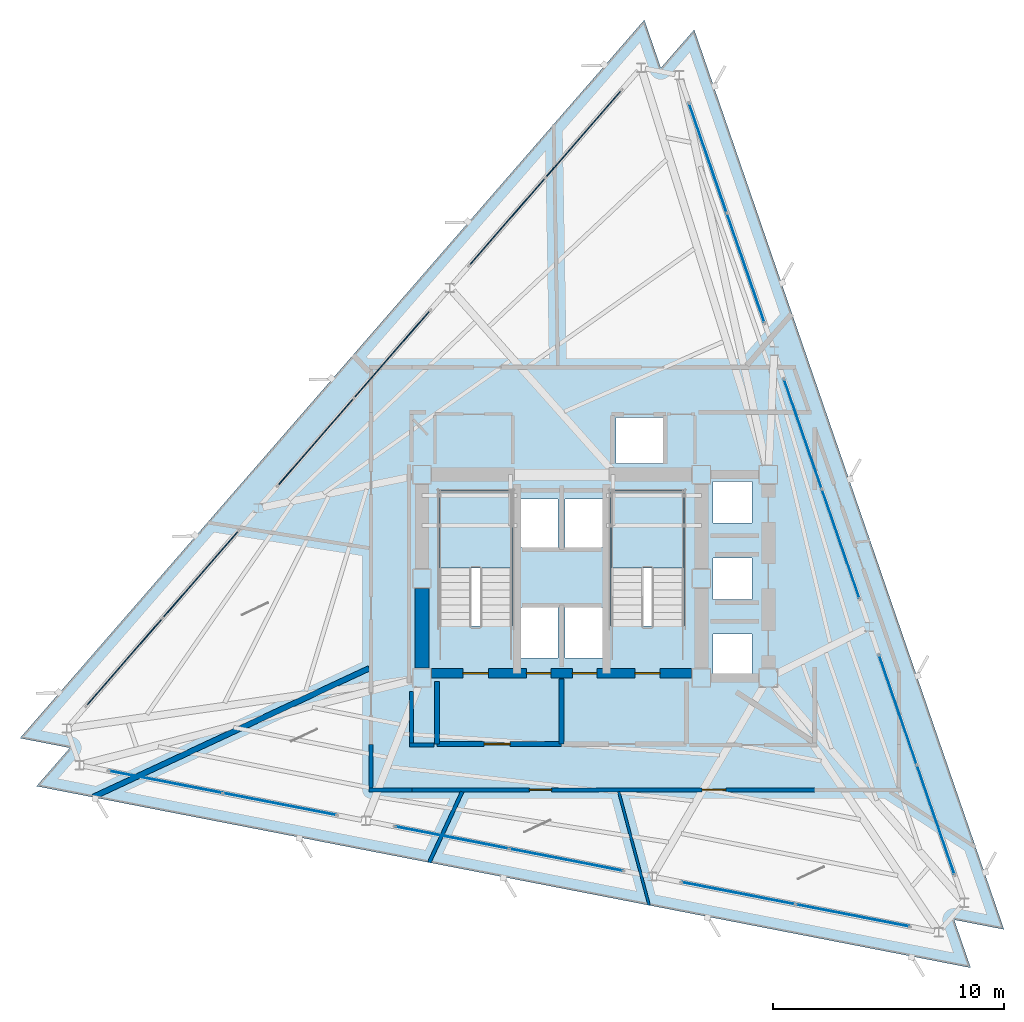
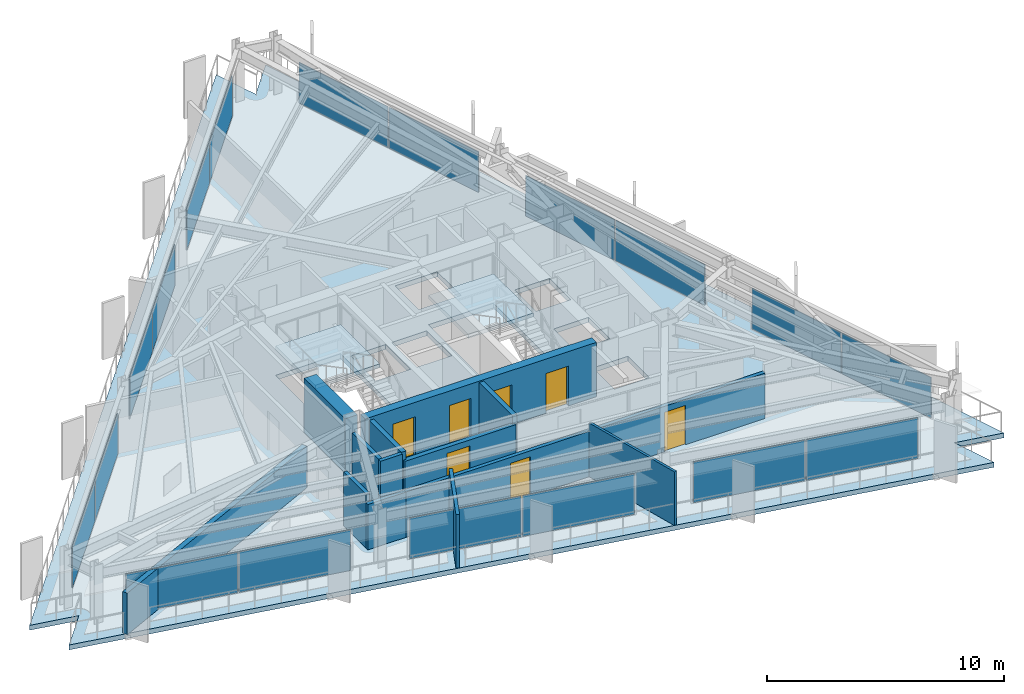
# One storey, part 8 of 13: 18 plates, 13 walls, 7 doors, 3 slabs, 7 openings, 11 elements without a shape of their own.
"""IFC4 building model written with IfcOpenShell, lengths in metres."""

from ifc_helpers import new_model, si_unit, direction, frame, frame_2d, origin, origin_2d, place, context, subcontext, project, spatial, polyline, rectangle, outline, extrude, material, layer, layer_set, type_object, element, fill, aggregate, save


model = new_model("IFC4")

# Units and contexts
model_context = context("Model", 3, precision=1e-05, world=origin(), true_north=direction((0.0, 1.0)))
body_context = subcontext(model_context, "Body", "Model", "MODEL_VIEW")
ifc_project = project(units=[si_unit("LENGTHUNIT", "METRE"), si_unit("AREAUNIT", "SQUARE_METRE"), si_unit("VOLUMEUNIT", "CUBIC_METRE"), si_unit("PLANEANGLEUNIT", "RADIAN"), si_unit("MASSUNIT", "GRAM", prefix="KILO")], contexts=[model_context])

# Site, building, storey
site_placement = place(None, origin())
site = spatial("IfcSite", under=ifc_project, at=site_placement, CompositionType="ELEMENT")
building_placement = place(site_placement, origin())
building = spatial("IfcBuilding", under=site, at=building_placement, Name="Rocaltana Carrier Exchange", CompositionType="ELEMENT")
storey_placement = place(building_placement, frame((0.0, 0.0, 156.320068359375)))
storey = spatial("IfcBuildingStorey", under=building, at=storey_placement, Name="L49", CompositionType="ELEMENT", Elevation=156.320068359375)

# Curtain wall, plates
ifc_material_1 = material(Name="Aluminium 6063-T6", Category="aluminium")
ifc_layer_1 = layer(ifc_material_1, 0.135009765625)
ifc_layer_set_1 = layer_set([ifc_layer_1], Name="Aluminium 6063-T6")
curtain_wall_type = type_object("IfcCurtainWallType", Name="Upper-Mid Acoustic Curtain Wall CW-04", PredefinedType="NOTDEFINED", material=ifc_layer_set_1)
curtain_wall_1_placement = place(storey_placement, origin())
curtain_wall_1 = element("IfcCurtainWall", 1, at=curtain_wall_1_placement, inside=storey, type_object=curtain_wall_type, Name="L49 CW-04 Run CW-L49-F1S1", PredefinedType="NOTDEFINED")
ifc_material_2 = material(Name="Tempered Laminated Glass", Category="glass")
ifc_layer_2 = layer(ifc_material_2, 0.0380859375)
ifc_layer_set_2 = layer_set([ifc_layer_2], Name="Tempered Laminated Glass")
plate_type = type_object("IfcPlateType", Name="CW-04 Stone-Insulated Vision Panel", PredefinedType="CURTAIN_PANEL", material=ifc_layer_set_2)
plate_1_placement = place(storey_placement, frame((16.197021484375, -10.4462890625, 0.06494140625), z_axis=(0.0, 0.0, 1.0), x_axis=(-0.325558788464, 0.945521800517, 0.0)))
plate_1 = element("IfcPlate", 2, at=plate_1_placement, type_object=plate_type, Name="CW-04 panel 1.1", PredefinedType="CURTAIN_PANEL", context=body_context, shape_type="SweptSolid", body=[
    extrude(rectangle(XDim=4.96923828125, YDim=0.0380859375, at=origin_2d()), origin(), (0.0, 0.0, 1.0), 2.087890625),
])
plate_2_placement = place(storey_placement, frame((14.55810546875, -5.686279296875, 0.06494140625), z_axis=(0.0, 0.0, 1.0), x_axis=(-0.325558788464, 0.945521800517, 0.0)))
plate_2 = element("IfcPlate", 3, at=plate_2_placement, type_object=plate_type, Name="CW-04 panel 2.1", PredefinedType="CURTAIN_PANEL", context=body_context, shape_type="SweptSolid", body=[
    extrude(rectangle(XDim=4.96923828125, YDim=0.0380859375, at=origin_2d()), origin(), (0.0, 0.0, 1.0), 2.087890625),
])
aggregate(curtain_wall_1, [plate_1, plate_2])

curtain_wall_2_placement = place(storey_placement, origin())
curtain_wall_2 = element("IfcCurtainWall", 4, at=curtain_wall_2_placement, inside=storey, type_object=curtain_wall_type, Name="L49 CW-04 Run CW-L49-F1S2", PredefinedType="NOTDEFINED")
plate_3_placement = place(storey_placement, frame((12.083984375, 1.498779296875, 0.06494140625), z_axis=(0.0, 0.0, 1.0), x_axis=(-0.32556182622, 0.945520754562, 0.0)))
plate_3 = element("IfcPlate", 5, at=plate_3_placement, type_object=plate_type, Name="CW-04 panel 1.1", PredefinedType="CURTAIN_PANEL", context=body_context, shape_type="SweptSolid", body=[
    extrude(rectangle(XDim=4.96923828125, YDim=0.0380859375, at=origin_2d()), origin(), (0.0, 0.0, 1.0), 2.087890625),
])
plate_4_placement = place(storey_placement, frame((10.445068359375, 6.258544921875, 0.06494140625), z_axis=(0.0, 0.0, 1.0), x_axis=(-0.32556182622, 0.945520754562, 0.0)))
plate_4 = element("IfcPlate", 6, at=plate_4_placement, type_object=plate_type, Name="CW-04 panel 2.1", PredefinedType="CURTAIN_PANEL", context=body_context, shape_type="SweptSolid", body=[
    extrude(rectangle(XDim=4.96923828125, YDim=0.0380859375, at=origin_2d()), origin(), (0.0, 0.0, 1.0), 2.087890625),
])
aggregate(curtain_wall_2, [plate_3, plate_4])

curtain_wall_3_placement = place(storey_placement, origin())
curtain_wall_3 = element("IfcCurtainWall", 7, at=curtain_wall_3_placement, inside=storey, type_object=curtain_wall_type, Name="L49 CW-04 Run CW-L49-F1S3", PredefinedType="NOTDEFINED")
plate_5_placement = place(storey_placement, frame((7.970947265625, 13.44384765625, 0.06494140625), z_axis=(0.0, 0.0, 1.0), x_axis=(-0.325558788464, 0.945521800517, 0.0)))
plate_5 = element("IfcPlate", 8, at=plate_5_placement, type_object=plate_type, Name="CW-04 panel 1.1", PredefinedType="CURTAIN_PANEL", context=body_context, shape_type="SweptSolid", body=[
    extrude(rectangle(XDim=4.96923828125, YDim=0.0380859375, at=origin_2d()), origin(), (0.0, 0.0, 1.0), 2.087890625),
])
plate_6_placement = place(storey_placement, frame((6.33203125, 18.20361328125, 0.06494140625), z_axis=(0.0, 0.0, 1.0), x_axis=(-0.325558788464, 0.945521800517, 0.0)))
plate_6 = element("IfcPlate", 9, at=plate_6_placement, type_object=plate_type, Name="CW-04 panel 2.1", PredefinedType="CURTAIN_PANEL", context=body_context, shape_type="SweptSolid", body=[
    extrude(rectangle(XDim=4.96923828125, YDim=0.0380859375, at=origin_2d()), origin(), (0.0, 0.0, 1.0), 2.087890625),
])
aggregate(curtain_wall_3, [plate_5, plate_6])

curtain_wall_4_placement = place(storey_placement, origin())
curtain_wall_4 = element("IfcCurtainWall", 10, at=curtain_wall_4_placement, inside=storey, type_object=curtain_wall_type, Name="L49 CW-04 Run CW-L49-F2S1", PredefinedType="NOTDEFINED")
plate_7_placement = place(storey_placement, frame((0.9482421875, 19.250244140625, 0.06494140625), z_axis=(0.0, 0.0, 1.0), x_axis=(-0.656056545375, -0.75471173919, 0.0)))
plate_7 = element("IfcPlate", 11, at=plate_7_placement, type_object=plate_type, Name="CW-04 panel 1.1", PredefinedType="CURTAIN_PANEL", context=body_context, shape_type="SweptSolid", body=[
    extrude(rectangle(XDim=4.96923828125, YDim=0.0380859375, at=origin_2d()), origin(), (0.0, 0.0, 1.0), 2.087890625),
])
plate_8_placement = place(storey_placement, frame((-2.3544921875, 15.450927734375, 0.06494140625), z_axis=(0.0, 0.0, 1.0), x_axis=(-0.656056545375, -0.75471173919, 0.0)))
plate_8 = element("IfcPlate", 12, at=plate_8_placement, type_object=plate_type, Name="CW-04 panel 2.1", PredefinedType="CURTAIN_PANEL", context=body_context, shape_type="SweptSolid", body=[
    extrude(rectangle(XDim=4.96923828125, YDim=0.0380859375, at=origin_2d()), origin(), (0.0, 0.0, 1.0), 2.087890625),
])
aggregate(curtain_wall_4, [plate_7, plate_8])

curtain_wall_5_placement = place(storey_placement, origin())
curtain_wall_5 = element("IfcCurtainWall", 13, at=curtain_wall_5_placement, inside=storey, type_object=curtain_wall_type, Name="L49 CW-04 Run CW-L49-F2S2", PredefinedType="NOTDEFINED")
plate_9_placement = place(storey_placement, frame((-7.33984375, 9.7158203125, 0.06494140625), z_axis=(0.0, 0.0, 1.0), x_axis=(-0.656056545375, -0.75471173919, 0.0)))
plate_9 = element("IfcPlate", 14, at=plate_9_placement, type_object=plate_type, Name="CW-04 panel 1.1", PredefinedType="CURTAIN_PANEL", context=body_context, shape_type="SweptSolid", body=[
    extrude(rectangle(XDim=4.96923828125, YDim=0.0380859375, at=origin_2d()), origin(), (0.0, 0.0, 1.0), 2.087890625),
])
plate_10_placement = place(storey_placement, frame((-10.642578125, 5.91650390625, 0.06494140625), z_axis=(0.0, 0.0, 1.0), x_axis=(-0.656056545375, -0.75471173919, 0.0)))
plate_10 = element("IfcPlate", 15, at=plate_10_placement, type_object=plate_type, Name="CW-04 panel 2.1", PredefinedType="CURTAIN_PANEL", context=body_context, shape_type="SweptSolid", body=[
    extrude(rectangle(XDim=4.96923828125, YDim=0.0380859375, at=origin_2d()), origin(), (0.0, 0.0, 1.0), 2.087890625),
])
aggregate(curtain_wall_5, [plate_9, plate_10])

curtain_wall_6_placement = place(storey_placement, origin())
curtain_wall_6 = element("IfcCurtainWall", 16, at=curtain_wall_6_placement, inside=storey, type_object=curtain_wall_type, Name="L49 CW-04 Run CW-L49-F2S3", PredefinedType="NOTDEFINED")
plate_11_placement = place(storey_placement, frame((-15.628173828125, 0.18115234375, 0.06494140625), z_axis=(0.0, 0.0, 1.0), x_axis=(-0.656056545375, -0.75471173919, 0.0)))
plate_11 = element("IfcPlate", 17, at=plate_11_placement, type_object=plate_type, Name="CW-04 panel 1.1", PredefinedType="CURTAIN_PANEL", context=body_context, shape_type="SweptSolid", body=[
    extrude(rectangle(XDim=4.96923828125, YDim=0.0380859375, at=origin_2d()), origin(), (0.0, 0.0, 1.0), 2.087890625),
])
plate_12_placement = place(storey_placement, frame((-18.930908203125, -3.6181640625, 0.06494140625), z_axis=(0.0, 0.0, 1.0), x_axis=(-0.656056545375, -0.75471173919, 0.0)))
plate_12 = element("IfcPlate", 18, at=plate_12_placement, type_object=plate_type, Name="CW-04 panel 2.1", PredefinedType="CURTAIN_PANEL", context=body_context, shape_type="SweptSolid", body=[
    extrude(rectangle(XDim=4.96923828125, YDim=0.0380859375, at=origin_2d()), origin(), (0.0, 0.0, 1.0), 2.087890625),
])
aggregate(curtain_wall_6, [plate_11, plate_12])

curtain_wall_7_placement = place(storey_placement, origin())
curtain_wall_7 = element("IfcCurtainWall", 19, at=curtain_wall_7_placement, inside=storey, type_object=curtain_wall_type, Name="L49 CW-04 Run CW-L49-F3S1", PredefinedType="NOTDEFINED")
plate_13_placement = place(storey_placement, frame((-17.145263671875, -8.803955078125, 0.06494140625), z_axis=(0.0, 0.0, 1.0), x_axis=(0.981628278569, -0.190803361378, 0.0)))
plate_13 = element("IfcPlate", 20, at=plate_13_placement, type_object=plate_type, Name="CW-04 panel 1.1", PredefinedType="CURTAIN_PANEL", context=body_context, shape_type="SweptSolid", body=[
    extrude(rectangle(XDim=4.96923828125, YDim=0.0380859375, at=origin_2d()), origin(), (0.0, 0.0, 1.0), 2.087890625),
])
plate_14_placement = place(storey_placement, frame((-12.20361328125, -9.764404296875, 0.06494140625), z_axis=(0.0, 0.0, 1.0), x_axis=(0.981628278569, -0.190803361378, 0.0)))
plate_14 = element("IfcPlate", 21, at=plate_14_placement, type_object=plate_type, Name="CW-04 panel 2.1", PredefinedType="CURTAIN_PANEL", context=body_context, shape_type="SweptSolid", body=[
    extrude(rectangle(XDim=4.96923828125, YDim=0.0380859375, at=origin_2d()), origin(), (0.0, 0.0, 1.0), 2.087890625),
])
aggregate(curtain_wall_7, [plate_13, plate_14])

curtain_wall_8_placement = place(storey_placement, origin())
curtain_wall_8 = element("IfcCurtainWall", 22, at=curtain_wall_8_placement, inside=storey, type_object=curtain_wall_type, Name="L49 CW-04 Run CW-L49-F3S2", PredefinedType="NOTDEFINED")
plate_15_placement = place(storey_placement, frame((-4.744140625, -11.21435546875, 0.06494140625), z_axis=(0.0, 0.0, 1.0), x_axis=(0.981626070913, -0.190814718784, 0.0)))
plate_15 = element("IfcPlate", 23, at=plate_15_placement, type_object=plate_type, Name="CW-04 panel 1.1", PredefinedType="CURTAIN_PANEL", context=body_context, shape_type="SweptSolid", body=[
    extrude(rectangle(XDim=4.96923828125, YDim=0.0380859375, at=origin_2d()), origin(), (0.0, 0.0, 1.0), 2.087890625),
])
plate_16_placement = place(storey_placement, frame((0.19775390625, -12.175048828125, 0.06494140625), z_axis=(0.0, 0.0, 1.0), x_axis=(0.981626070913, -0.190814718784, 0.0)))
plate_16 = element("IfcPlate", 24, at=plate_16_placement, type_object=plate_type, Name="CW-04 panel 2.1", PredefinedType="CURTAIN_PANEL", context=body_context, shape_type="SweptSolid", body=[
    extrude(rectangle(XDim=4.96923828125, YDim=0.0380859375, at=origin_2d()), origin(), (0.0, 0.0, 1.0), 2.087890625),
])
aggregate(curtain_wall_8, [plate_15, plate_16])

curtain_wall_9_placement = place(storey_placement, origin())
curtain_wall_9 = element("IfcCurtainWall", 25, at=curtain_wall_9_placement, inside=storey, type_object=curtain_wall_type, Name="L49 CW-04 Run CW-L49-F3S3", PredefinedType="NOTDEFINED")
plate_17_placement = place(storey_placement, frame((7.6572265625, -13.625, 0.06494140625), z_axis=(0.0, 0.0, 1.0), x_axis=(0.981627919301, -0.190805209699, 0.0)))
plate_17 = element("IfcPlate", 26, at=plate_17_placement, type_object=plate_type, Name="CW-04 panel 1.1", PredefinedType="CURTAIN_PANEL", context=body_context, shape_type="SweptSolid", body=[
    extrude(rectangle(XDim=4.96923828125, YDim=0.0380859375, at=origin_2d()), origin(), (0.0, 0.0, 1.0), 2.087890625),
])
plate_18_placement = place(storey_placement, frame((12.598876953125, -14.58544921875, 0.06494140625), z_axis=(0.0, 0.0, 1.0), x_axis=(0.981627919301, -0.190805209699, 0.0)))
plate_18 = element("IfcPlate", 27, at=plate_18_placement, type_object=plate_type, Name="CW-04 panel 2.1", PredefinedType="CURTAIN_PANEL", context=body_context, shape_type="SweptSolid", body=[
    extrude(rectangle(XDim=4.96923828125, YDim=0.0380859375, at=origin_2d()), origin(), (0.0, 0.0, 1.0), 2.087890625),
])
aggregate(curtain_wall_9, [plate_17, plate_18])

# Slab
ifc_material_3 = material(Name="Concrete C50/60", Category="concrete")
ifc_layer_3 = layer(ifc_material_3, 0.25)
ifc_layer_set_3 = layer_set([ifc_layer_3], Name="Concrete C50/60")
slab_type_1 = type_object("IfcSlabType", Name="Mid-Zone Tower Slab 250", PredefinedType="FLOOR", material=ifc_layer_set_3)
slab_1_placement = place(storey_placement, frame((0.0, 0.0, -0.25)))
element("IfcSlab", 28, at=slab_1_placement, inside=storey, type_object=slab_type_1, Name="L49 Structural Floor Slab", PredefinedType="FLOOR", context=body_context, shape_type="SweptSolid", body=[
    extrude(outline(polyline([(17.709716796875, -16.852294921875), (16.993408203125, -14.772216796875), (19.153076171875, -15.19189453125), (5.73974609375, 23.76318359375), (4.29638671875, 22.10302734375), (3.580078125, 24.18310546875), (-23.449462890625, -6.910888671875), (-21.289794921875, -7.330810546875), (-22.7333984375, -8.9912109375), (17.709716796875, -16.852294921875)]), holes=[polyline([(-5.300048828125, -2.06005859375), (-2.139892578125, -2.06005859375), (-2.139892578125, 3.800048828125), (-5.300048828125, 3.800048828125), (-5.300048828125, -2.06005859375)]), polyline([(2.139892578125, -2.06005859375), (5.300048828125, -2.06005859375), (5.300048828125, 3.800048828125), (2.139892578125, 3.800048828125), (2.139892578125, -2.06005859375)]), polyline([(-1.85009765625, -3.449951171875), (-0.14990234375, -3.449951171875), (-0.14990234375, -1.25), (-1.85009765625, -1.25), (-1.85009765625, -3.449951171875)]), polyline([(0.14990234375, -3.449951171875), (1.85009765625, -3.449951171875), (1.85009765625, -1.25), (0.14990234375, -1.25), (0.14990234375, -3.449951171875)]), polyline([(2.35009765625, 4.97998046875), (4.39990234375, 4.97998046875), (4.39990234375, 6.97998046875), (2.35009765625, 6.97998046875), (2.35009765625, 4.97998046875)]), polyline([(-1.85009765625, 1.35009765625), (-0.14990234375, 1.35009765625), (-0.14990234375, 3.449951171875), (-1.85009765625, 3.449951171875), (-1.85009765625, 1.35009765625)]), polyline([(0.14990234375, 1.35009765625), (1.85009765625, 1.35009765625), (1.85009765625, 3.449951171875), (0.14990234375, 3.449951171875), (0.14990234375, 1.35009765625)]), polyline([(6.550048828125, -4.199951171875), (8.25, -4.199951171875), (8.25, -2.39990234375), (6.550048828125, -2.39990234375), (6.550048828125, -4.199951171875)]), polyline([(6.550048828125, -0.89990234375), (8.25, -0.89990234375), (8.25, 0.89990234375), (6.550048828125, 0.89990234375), (6.550048828125, -0.89990234375)]), polyline([(6.550048828125, 2.39990234375), (8.25, 2.39990234375), (8.25, 4.199951171875), (6.550048828125, 4.199951171875), (6.550048828125, 2.39990234375)])]), origin(), (0.0, 0.0, 1.0), 0.25),
])

# Stair, slab
ifc_material_4 = material(Name="Precast concrete C45/55", Category="concrete")
stair_type = type_object("IfcStairType", Name="Standard Dog-Leg Stair 160", PredefinedType="HALF_TURN_STAIR", material=ifc_material_4)
stair_1_placement = place(storey_placement, origin())
stair_1 = element("IfcStair", 29, at=stair_1_placement, inside=storey, type_object=stair_type, Name="L49 Core West Exit Stair ST-1", PredefinedType="HALF_TURN_STAIR")
ifc_material_5 = material(Name="Precast concrete C45/55", Category="concrete")
ifc_layer_4 = layer(ifc_material_5, 0.199951171875)
ifc_layer_set_4 = layer_set([ifc_layer_4], Name="Precast concrete C45/55")
slab_type_2 = type_object("IfcSlabType", Name="Precast Stair Half-Landing 200", PredefinedType="LANDING", material=ifc_layer_set_4)
slab_2_placement = place(storey_placement, frame((0.0, 0.0, 1.31982421875)))
slab_2 = element("IfcSlab", 30, at=slab_2_placement, type_object=slab_type_2, Name="ST-1 landing 1", PredefinedType="LANDING", context=body_context, shape_type="SweptSolid", body=[
    extrude(outline(polyline([(-2.139892578125, 0.4599609375), (-2.139892578125, 3.800048828125), (-5.300048828125, 3.800048828125), (-5.300048828125, 0.4599609375), (-2.139892578125, 0.4599609375)])), origin(), (0.0, 0.0, 1.0), 0.2001953125),
])
aggregate(stair_1, [slab_2])

stair_2_placement = place(storey_placement, origin())
stair_2 = element("IfcStair", 31, at=stair_2_placement, inside=storey, type_object=stair_type, Name="L49 Core East Exit Stair ST-2", PredefinedType="HALF_TURN_STAIR")
slab_3_placement = place(storey_placement, frame((0.0, 0.0, 1.31982421875)))
slab_3 = element("IfcSlab", 32, at=slab_3_placement, type_object=slab_type_2, Name="ST-2 landing 1", PredefinedType="LANDING", context=body_context, shape_type="SweptSolid", body=[
    extrude(outline(polyline([(5.300048828125, 0.4599609375), (5.300048828125, 3.800048828125), (2.139892578125, 3.800048828125), (2.139892578125, 0.4599609375), (5.300048828125, 0.4599609375)])), origin(), (0.0, 0.0, 1.0), 0.2001953125),
])
aggregate(stair_2, [slab_3])

# Wall
ifc_material_6 = material(Name="Double Acoustic Gypsum Partition", Category="gypsum")
ifc_layer_5 = layer(ifc_material_6, 0.159912109375)
ifc_layer_set_5 = layer_set([ifc_layer_5], Name="Double Acoustic Gypsum Partition")
wall_type_1 = type_object("IfcWallType", Name="Acoustic Studio Partition 160 EI60", PredefinedType="PARTITIONING", material=ifc_layer_set_5)
wall_1_placement = place(storey_placement, frame((-4.303955078125, -9.22998046875, 0.0), z_axis=(0.0, 0.0, 1.0), x_axis=(-0.422604032696, -0.906314422013, 0.0)))
element("IfcWall", 33, at=wall_1_placement, inside=storey, type_object=wall_type_1, Name="L49 Suite Divider Wall D2", PredefinedType="PARTITIONING", context=body_context, shape_type="SweptSolid", body=[
    extrude(rectangle(XDim=3.3720703125, YDim=0.159912109375, at=frame_2d((1.68603515625, 0.0))), origin(), (0.0, 0.0, 1.0), 2.762939453125),
])

# Wall, openings, doors
ifc_material_7 = material(Name="Concrete C50/60", Category="concrete")
ifc_layer_6 = layer(ifc_material_7, 0.39990234375)
ifc_layer_set_6 = layer_set([ifc_layer_6], Name="Concrete C50/60")
wall_type_2 = type_object("IfcWallType", Name="Core Internal Shear Wall 400", PredefinedType="SHEAR", material=ifc_layer_set_6)
wall_2_placement = place(storey_placement, frame((-5.625, -4.10009765625, 0.0), z_axis=(0.0, 0.0, 1.0), x_axis=(1.0, 0.0, 0.0)))
wall_2 = element("IfcWall", 34, at=wall_2_placement, inside=storey, type_object=wall_type_2, Name="L49 Core Shear Wall CW-S", PredefinedType="SHEAR", context=body_context, shape_type="SweptSolid", body=[
    extrude(rectangle(XDim=11.25, YDim=0.39990234375, at=frame_2d((5.625, 0.0))), origin(), (0.0, 0.0, 1.0), 2.787841796875),
])
opening_1_placement = place(wall_2_placement, frame((1.35498046875, 0.0, 0.0)))
opening_1 = element("IfcOpeningElement", 35, at=opening_1_placement, cuts=wall_2, Name="Opening D-ST110", PredefinedType="OPENING", context=body_context, shape_type="SweptSolid", body=[
    extrude(rectangle(XDim=1.10009765625, YDim=2.0400390625, at=frame_2d((0.550048828125, 1.02001953125))), frame((0.0, 0.2099609375, 0.0), z_axis=(0.0, -1.0, 0.0), x_axis=(1.0, 0.0, 0.0)), (0.0, 0.0, 1.0), 0.419921875),
])
opening_2_placement = place(wall_2_placement, frame((8.794921875, 0.0, 0.0)))
opening_2 = element("IfcOpeningElement", 36, at=opening_2_placement, cuts=wall_2, Name="Opening D-ST110", PredefinedType="OPENING", context=body_context, shape_type="SweptSolid", body=[
    extrude(rectangle(XDim=1.10009765625, YDim=2.0400390625, at=frame_2d((0.550048828125, 1.02001953125))), frame((0.0, 0.2099609375, 0.0), z_axis=(0.0, -1.0, 0.0), x_axis=(1.0, 0.0, 0.0)), (0.0, 0.0, 1.0), 0.419921875),
])
opening_3_placement = place(wall_2_placement, frame((4.094970703125, 0.0, 0.0)))
opening_3 = element("IfcOpeningElement", 37, at=opening_3_placement, cuts=wall_2, Name="Opening LD-110", PredefinedType="OPENING", context=body_context, shape_type="SweptSolid", body=[
    extrude(rectangle(XDim=1.06005859375, YDim=2.0400390625, at=frame_2d((0.530029296875, 1.02001953125))), frame((0.0, 0.2099609375, 0.0), z_axis=(0.0, -1.0, 0.0), x_axis=(1.0, 0.0, 0.0)), (0.0, 0.0, 1.0), 0.419921875),
])
opening_4_placement = place(wall_2_placement, frame((6.094970703125, 0.0, 0.0)))
opening_4 = element("IfcOpeningElement", 38, at=opening_4_placement, cuts=wall_2, Name="Opening LD-110", PredefinedType="OPENING", context=body_context, shape_type="SweptSolid", body=[
    extrude(rectangle(XDim=1.06005859375, YDim=2.0400390625, at=frame_2d((0.530029296875, 1.02001953125))), frame((0.0, 0.2099609375, 0.0), z_axis=(0.0, -1.0, 0.0), x_axis=(1.0, 0.0, 0.0)), (0.0, 0.0, 1.0), 0.419921875),
])
ifc_material_8 = material(Name="Hollow Metal Fire Door Assembly", Category="steel")
door_type_1 = type_object("IfcDoorType", Name="Exit Stair Fire Door 1100x2040 FD90S", OperationType="NOTDEFINED", PredefinedType="DOOR", material=ifc_material_8)
door_1_placement = place(opening_1_placement, origin())
door_1 = element("IfcDoor", 39, at=door_1_placement, inside=storey, type_object=door_type_1, Name="L49 Exit Stair ST1 Fire Door", OperationType="SINGLE_SWING_RIGHT", OverallHeight=2.0400390625, OverallWidth=1.10009765625, PredefinedType="DOOR", context=body_context, shape_type="SweptSolid", body=[
    extrude(rectangle(XDim=1.10009765625, YDim=2.0400390625, at=frame_2d((0.550048828125, 1.02001953125))), frame((0.0, 0.02490234375, 0.0), z_axis=(0.0, -1.0, 0.0), x_axis=(1.0, 0.0, 0.0)), (0.0, 0.0, 1.0), 0.050048828125),
])
fill(opening_1, door_1)
door_2_placement = place(opening_2_placement, origin())
door_2 = element("IfcDoor", 40, at=door_2_placement, inside=storey, type_object=door_type_1, Name="L49 Exit Stair ST2 Fire Door", OperationType="SINGLE_SWING_LEFT", OverallHeight=2.0400390625, OverallWidth=1.10009765625, PredefinedType="DOOR", context=body_context, shape_type="SweptSolid", body=[
    extrude(rectangle(XDim=1.10009765625, YDim=2.0400390625, at=frame_2d((0.550048828125, 1.02001953125))), frame((0.0, 0.02490234375, 0.0), z_axis=(0.0, -1.0, 0.0), x_axis=(1.0, 0.0, 0.0)), (0.0, 0.0, 1.0), 0.050048828125),
])
fill(opening_2, door_2)
ifc_material_9 = material(Name="Brushed Stainless Sliding Door Leaf", Category="steel")
door_type_2 = type_object("IfcDoorType", Name="Lift Landing Sliding Door 1060x2040", OperationType="NOTDEFINED", PredefinedType="DOOR", material=ifc_material_9)
door_3_placement = place(opening_3_placement, origin())
door_3 = element("IfcDoor", 41, at=door_3_placement, inside=storey, type_object=door_type_2, Name="L49 Firefighting Lift FFL1 Landing Door", OperationType="SLIDING_TO_LEFT", OverallHeight=2.0400390625, OverallWidth=1.06005859375, PredefinedType="DOOR", context=body_context, shape_type="SweptSolid", body=[
    extrude(rectangle(XDim=1.06005859375, YDim=2.0400390625, at=frame_2d((0.530029296875, 1.02001953125))), frame((0.0, 0.02490234375, 0.0), z_axis=(0.0, -1.0, 0.0), x_axis=(1.0, 0.0, 0.0)), (0.0, 0.0, 1.0), 0.050048828125),
])
fill(opening_3, door_3)
door_4_placement = place(opening_4_placement, origin())
door_4 = element("IfcDoor", 42, at=door_4_placement, inside=storey, type_object=door_type_2, Name="L49 Firefighting Lift FFL2 Landing Door", OperationType="SLIDING_TO_RIGHT", OverallHeight=2.0400390625, OverallWidth=1.06005859375, PredefinedType="DOOR", context=body_context, shape_type="SweptSolid", body=[
    extrude(rectangle(XDim=1.06005859375, YDim=2.0400390625, at=frame_2d((0.530029296875, 1.02001953125))), frame((0.0, 0.02490234375, 0.0), z_axis=(0.0, -1.0, 0.0), x_axis=(1.0, 0.0, 0.0)), (0.0, 0.0, 1.0), 0.050048828125),
])
fill(opening_4, door_4)

# Walls
ifc_material_10 = material(Name="Concrete C50/60", Category="concrete")
ifc_layer_7 = layer(ifc_material_10, 0.60009765625)
ifc_layer_set_7 = layer_set([ifc_layer_7], Name="Concrete C50/60")
wall_type_3 = type_object("IfcWallType", Name="Core Shear Wall 600", PredefinedType="SHEAR", material=ifc_layer_set_7)
wall_3_placement = place(storey_placement, frame((-6.050048828125, -3.875, 0.0), z_axis=(0.0, 0.0, 1.0), x_axis=(0.0, 1.0, 0.0)))
element("IfcWall", 43, at=wall_3_placement, inside=storey, type_object=wall_type_3, Name="L49 Core Shear Wall CW-WS", PredefinedType="SHEAR", context=body_context, shape_type="SweptSolid", body=[
    extrude(rectangle(XDim=3.449951171875, YDim=0.60009765625, at=frame_2d((1.72509765625, 0.0))), origin(), (0.0, 0.0, 1.0), 2.787841796875),
])
ifc_material_11 = material(Name="Gypsum & Steel Stud Partition", Category="steel")
ifc_layer_8 = layer(ifc_material_11, 0.179931640625)
ifc_layer_set_8 = layer_set([ifc_layer_8], Name="Gypsum & Steel Stud Partition")
wall_type_4 = type_object("IfcWallType", Name="Corridor Fire Partition 180 EI60", PredefinedType="PARTITIONING", material=ifc_layer_set_8)
wall_4_placement = place(storey_placement, frame((-6.47998046875, -9.14990234375, 0.0), z_axis=(0.0, 0.0, 1.0), x_axis=(-1.0, 0.0, 0.0)))
element("IfcWall", 44, at=wall_4_placement, inside=storey, type_object=wall_type_4, Name="L49 Corridor Partition 1", PredefinedType="PARTITIONING", context=body_context, shape_type="SweptSolid", body=[
    extrude(rectangle(XDim=1.860107421875, YDim=0.179931640625, at=frame_2d((0.93017578125, 0.0))), origin(), (0.0, 0.0, 1.0), 2.329833984375),
])
wall_5_placement = place(storey_placement, frame((-8.25, -9.06005859375, 0.0), z_axis=(0.0, 0.0, 1.0), x_axis=(0.0, 1.0, 0.0)))
element("IfcWall", 45, at=wall_5_placement, inside=storey, type_object=wall_type_4, Name="L49 Corridor Partition 2", PredefinedType="PARTITIONING", context=body_context, shape_type="SweptSolid", body=[
    extrude(rectangle(XDim=1.880126953125, YDim=0.179931640625, at=frame_2d((0.93994140625, 0.0))), origin(), (0.0, 0.0, 1.0), 2.762939453125),
])
wall_6_placement = place(storey_placement, frame((-6.5, -4.8798828125, 0.0), z_axis=(0.0, 0.0, 1.0), x_axis=(0.0, -1.0, 0.0)))
element("IfcWall", 46, at=wall_6_placement, inside=storey, type_object=wall_type_4, Name="L49 Corridor Partition 12", PredefinedType="PARTITIONING", context=body_context, shape_type="SweptSolid", body=[
    extrude(rectangle(XDim=2.230224609375, YDim=0.179931640625, at=frame_2d((1.115234375, 0.0))), origin(), (0.0, 0.0, 1.0), 2.762939453125),
])
wall_7_placement = place(storey_placement, frame((-6.590087890625, -7.199951171875, 0.0), z_axis=(0.0, 0.0, 1.0), x_axis=(1.0, 0.0, 0.0)))
element("IfcWall", 47, at=wall_7_placement, inside=storey, type_object=wall_type_4, Name="L49 Corridor Partition 13", PredefinedType="PARTITIONING", context=body_context, shape_type="SweptSolid", body=[
    extrude(rectangle(XDim=1.06005859375, YDim=0.179931640625, at=frame_2d((0.530029296875, 0.0))), origin(), (0.0, 0.0, 1.0), 2.762939453125),
])

# Wall, openings, doors
wall_8_placement = place(storey_placement, frame((10.97998046875, -9.14990234375, 0.0), z_axis=(0.0, 0.0, 1.0), x_axis=(-1.0, 0.0, 0.0)))
wall_8 = element("IfcWall", 48, at=wall_8_placement, inside=storey, type_object=wall_type_4, Name="L49 Corridor Partition 21", PredefinedType="PARTITIONING", context=body_context, shape_type="SweptSolid", body=[
    extrude(rectangle(XDim=17.5, YDim=0.179931640625, at=frame_2d((8.75, 0.0))), origin(), (0.0, 0.0, 1.0), 2.329833984375),
])
opening_5_placement = place(wall_8_placement, frame((11.416748046875, 0.0, 0.0)))
opening_5 = element("IfcOpeningElement", 49, at=opening_5_placement, cuts=wall_8, Name="Opening D-RM098", PredefinedType="OPENING", context=body_context, shape_type="SweptSolid", body=[
    extrude(rectangle(XDim=0.9599609375, YDim=2.02001953125, at=frame_2d((0.47998046875, 1.010009765625))), frame((0.0, 0.099853515625, 0.0), z_axis=(0.0, -1.0, 0.0), x_axis=(1.0, 0.0, 0.0)), (0.0, 0.0, 1.0), 0.199951171875),
])
opening_6_placement = place(wall_8_placement, frame((3.872314453125, 0.0, 0.0)))
opening_6 = element("IfcOpeningElement", 50, at=opening_6_placement, cuts=wall_8, Name="Opening D-LB104", PredefinedType="OPENING", context=body_context, shape_type="SweptSolid", body=[
    extrude(rectangle(XDim=1.02001953125, YDim=2.02001953125, at=frame_2d((0.510009765625, 1.010009765625))), frame((0.0, 0.099853515625, 0.0), z_axis=(0.0, -1.0, 0.0), x_axis=(1.0, 0.0, 0.0)), (0.0, 0.0, 1.0), 0.199951171875),
])
ifc_material_12 = material(Name="Powder-Coated Aluminium 6063-T6", Category="aluminium")
door_type_3 = type_object("IfcDoorType", Name="Laboratory Acoustic Door 1020x2020", OperationType="NOTDEFINED", PredefinedType="DOOR", material=ifc_material_12)
door_5_placement = place(opening_6_placement, origin())
door_5 = element("IfcDoor", 51, at=door_5_placement, inside=storey, type_object=door_type_3, Name="L49 Optical Switching Laboratory Entrance Door", OperationType="SINGLE_SWING_LEFT", OverallHeight=2.02001953125, OverallWidth=1.02001953125, PredefinedType="DOOR", context=body_context, shape_type="SweptSolid", body=[
    extrude(rectangle(XDim=1.02001953125, YDim=2.02001953125, at=frame_2d((0.510009765625, 1.010009765625))), frame((0.0, 0.02490234375, 0.0), z_axis=(0.0, -1.0, 0.0), x_axis=(1.0, 0.0, 0.0)), (0.0, 0.0, 1.0), 0.050048828125),
])
fill(opening_6, door_5)
ifc_material_13 = material(Name="Engineered Hardwood Timber", Category="wood")
door_type_4 = type_object("IfcDoorType", Name="Workspace Single Door 960x2020", OperationType="NOTDEFINED", PredefinedType="DOOR", material=ifc_material_13)
door_6_placement = place(opening_5_placement, origin())
door_6 = element("IfcDoor", 52, at=door_6_placement, inside=storey, type_object=door_type_4, Name="L49 Peering Conference Room Entrance Door", OperationType="SINGLE_SWING_RIGHT", OverallHeight=2.02001953125, OverallWidth=0.9599609375, PredefinedType="DOOR", context=body_context, shape_type="SweptSolid", body=[
    extrude(rectangle(XDim=0.9599609375, YDim=2.02001953125, at=frame_2d((0.47998046875, 1.010009765625))), frame((0.0, 0.02490234375, 0.0), z_axis=(0.0, -1.0, 0.0), x_axis=(1.0, 0.0, 0.0)), (0.0, 0.0, 1.0), 0.050048828125),
])
fill(opening_5, door_6)

# Walls
ifc_material_14 = material(Name="Aluminium 6063-T6 & Acoustic Glass", Category="aluminium")
ifc_layer_9 = layer(ifc_material_14, 0.114990234375)
ifc_layer_set_9 = layer_set([ifc_layer_9], Name="Aluminium 6063-T6 & Acoustic Glass")
wall_type_5 = type_object("IfcWallType", Name="Demountable Glazed Lab Partition 115", PredefinedType="MOVABLE", material=ifc_layer_set_9)
wall_9_placement = place(storey_placement, frame((2.47314453125, -9.22998046875, 0.0), z_axis=(0.0, 0.0, 1.0), x_axis=(0.258799355676, -0.96593110184, 0.0)))
element("IfcWall", 53, at=wall_9_placement, inside=storey, type_object=wall_type_5, Name="L49 Suite Divider Wall D3", PredefinedType="MOVABLE", context=body_context, shape_type="SweptSolid", body=[
    extrude(rectangle(XDim=5.0791015625, YDim=0.114990234375, at=frame_2d((2.53955078125, 0.0))), origin(), (0.0, 0.0, 1.0), 2.762939453125),
])
ifc_material_15 = material(Name="Autoclaved Aerated Concrete C30/37", Category="concrete")
ifc_layer_10 = layer(ifc_material_15, 0.219970703125)
ifc_layer_set_10 = layer_set([ifc_layer_10], Name="Autoclaved Aerated Concrete C30/37")
wall_type_6 = type_object("IfcWallType", Name="Firefighting Lobby Wall 220 EI120", PredefinedType="PARTITIONING", material=ifc_layer_set_10)
wall_10_placement = place(storey_placement, frame((-5.39990234375, -7.159912109375, 0.0), z_axis=(0.0, 0.0, 1.0), x_axis=(0.0, 1.0, 0.0)))
element("IfcWall", 54, at=wall_10_placement, inside=storey, type_object=wall_type_6, Name="L49 FFL Lobby 1 West Wall", PredefinedType="PARTITIONING", context=body_context, shape_type="SweptSolid", body=[
    extrude(rectangle(XDim=2.7099609375, YDim=0.219970703125, at=frame_2d((1.35498046875, 0.0))), origin(), (0.0, 0.0, 1.0), 2.762939453125),
])
wall_11_placement = place(storey_placement, frame((0.0, -7.159912109375, 0.0), z_axis=(0.0, 0.0, 1.0), x_axis=(0.0, 1.0, 0.0)))
element("IfcWall", 55, at=wall_11_placement, inside=storey, type_object=wall_type_6, Name="L49 FFL Lobby Centre Wall", PredefinedType="PARTITIONING", context=body_context, shape_type="SweptSolid", body=[
    extrude(rectangle(XDim=2.809814453125, YDim=0.219970703125, at=frame_2d((1.40478515625, 0.0))), origin(), (0.0, 0.0, 1.0), 2.762939453125),
])

# Wall, opening, door
wall_12_placement = place(storey_placement, frame((-5.39990234375, -7.159912109375, 0.0), z_axis=(0.0, 0.0, 1.0), x_axis=(1.0, 0.0, 0.0)))
wall_12 = element("IfcWall", 56, at=wall_12_placement, inside=storey, type_object=wall_type_6, Name="L49 FFL Lobby 1 South Wall", PredefinedType="PARTITIONING", context=body_context, shape_type="SweptSolid", body=[
    extrude(rectangle(XDim=5.39990234375, YDim=0.219970703125, at=frame_2d((2.699951171875, 0.0))), origin(), (0.0, 0.0, 1.0), 2.329833984375),
])
opening_7_placement = place(wall_12_placement, frame((2.050048828125, 0.0, 0.0)))
opening_7 = element("IfcOpeningElement", 57, at=opening_7_placement, cuts=wall_12, Name="Opening D-FF115", PredefinedType="OPENING", context=body_context, shape_type="SweptSolid", body=[
    extrude(rectangle(XDim=1.1201171875, YDim=2.02001953125, at=frame_2d((0.56005859375, 1.010009765625))), frame((0.0, 0.119873046875, 0.0), z_axis=(0.0, -1.0, 0.0), x_axis=(1.0, 0.0, 0.0)), (0.0, 0.0, 1.0), 0.239990234375),
])
ifc_material_16 = material(Name="Hollow Metal Fire Door Assembly", Category="steel")
door_type_5 = type_object("IfcDoorType", Name="Firefighting Lobby Door 1120x2020 FD60S", OperationType="NOTDEFINED", PredefinedType="DOOR", material=ifc_material_16)
door_7_placement = place(opening_7_placement, origin())
door_7 = element("IfcDoor", 58, at=door_7_placement, inside=storey, type_object=door_type_5, Name="L49 Firefighting Lift Lobby 1 Door", OperationType="SINGLE_SWING_RIGHT", OverallHeight=2.02001953125, OverallWidth=1.1201171875, PredefinedType="DOOR", context=body_context, shape_type="SweptSolid", body=[
    extrude(rectangle(XDim=1.1201171875, YDim=2.02001953125, at=frame_2d((0.56005859375, 1.010009765625))), frame((0.0, 0.02490234375, 0.0), z_axis=(0.0, -1.0, 0.0), x_axis=(1.0, 0.0, 0.0)), (0.0, 0.0, 1.0), 0.050048828125),
])
fill(opening_7, door_7)

# Wall
ifc_material_17 = material(Name="Acoustic Calcium Silicate Partition", Category="gypsum")
ifc_layer_11 = layer(ifc_material_17, 0.239990234375)
ifc_layer_set_11 = layer_set([ifc_layer_11], Name="Acoustic Calcium Silicate Partition")
wall_type_7 = type_object("IfcWallType", Name="Heavy Lab Partition 240 EI90", PredefinedType="PARTITIONING", material=ifc_layer_set_11)
wall_13_placement = place(storey_placement, frame((-8.330078125, -3.88427734375, 0.0), z_axis=(0.0, 0.0, 1.0), x_axis=(-0.906301821786, -0.422631054026, 0.0)))
element("IfcWall", 59, at=wall_13_placement, inside=storey, type_object=wall_type_7, Name="L49 Suite Divider Wall D1", PredefinedType="PARTITIONING", context=body_context, shape_type="SweptSolid", body=[
    extrude(rectangle(XDim=13.18701171875, YDim=0.239990234375, at=frame_2d((6.593505859375, 0.0))), origin(), (0.0, 0.0, 1.0), 2.1318359375),
])

save(model, "model.ifc")
